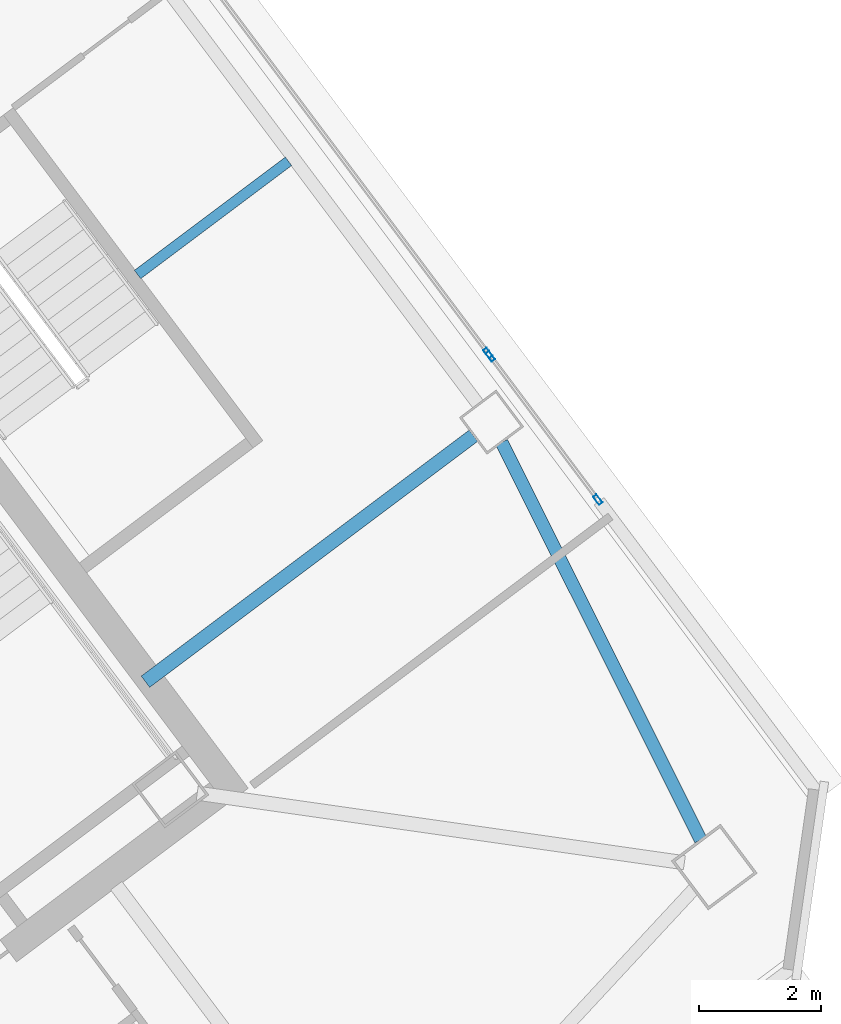
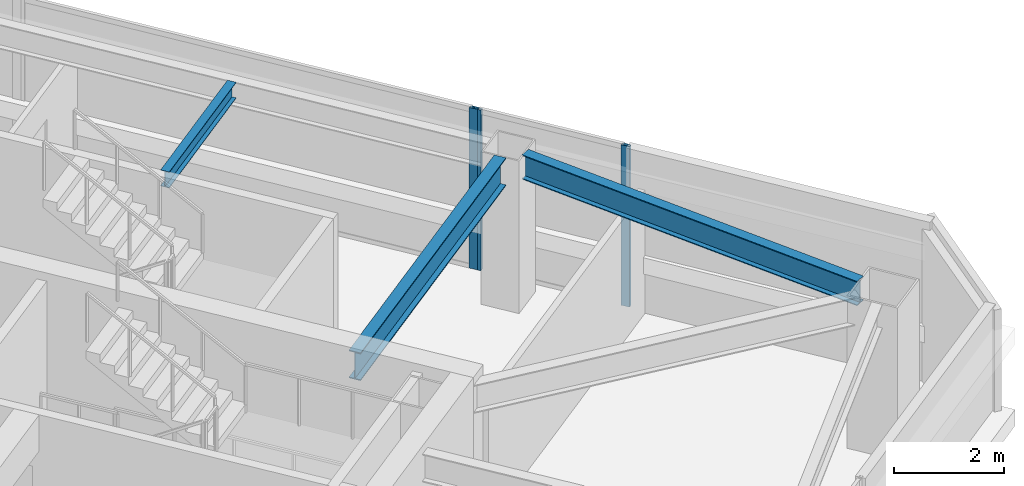
# One storey, part 24 of 40: 3 beams, 3 members, 2 elements without a shape of their own.
"""IFC4 building model written with IfcOpenShell, lengths in metres."""

from ifc_helpers import new_model, si_unit, direction, frame, origin, origin_2d, place, context, subcontext, project, spatial, hollow_rectangle, i_section, extrude, material, material_profile, profile_set, type_object, element, aggregate, save


model = new_model("IFC4")

# Units and contexts
model_context = context("Model", 3, precision=1e-05, world=origin(), true_north=direction((0.0, 1.0)))
body_context = subcontext(model_context, "Body", "Model", "MODEL_VIEW")
ifc_project = project(units=[si_unit("LENGTHUNIT", "METRE"), si_unit("AREAUNIT", "SQUARE_METRE"), si_unit("VOLUMEUNIT", "CUBIC_METRE"), si_unit("PLANEANGLEUNIT", "RADIAN"), si_unit("MASSUNIT", "GRAM", prefix="KILO")], contexts=[model_context])

# Site, building, storey
site_placement = place(None, origin())
site = spatial("IfcSite", under=ifc_project, at=site_placement, CompositionType="ELEMENT")
building_placement = place(site_placement, origin())
building = spatial("IfcBuilding", under=site, at=building_placement, Name="Tashvorn Skyway Center", CompositionType="ELEMENT")
storey_placement = place(building_placement, frame((0.0, 0.0, 221.949951171875)))
storey = spatial("IfcBuildingStorey", under=building, at=storey_placement, Name="L60", CompositionType="ELEMENT", Elevation=221.949951171875)

# Beams
ifc_material_1 = material(Name="Steel ASTM A992 Grade 50", Category="steel")
ifc_material_profile_1 = material_profile(ifc_material_1, i_section(OverallWidth=0.22998046875, OverallDepth=0.616943359375, WebThickness=0.01318359375, FlangeThickness=0.022216796875, at=origin_2d()), Name="W24X94")
ifc_profile_set_1 = profile_set([ifc_material_profile_1], Name="Steel ASTM A992 Grade 50")
beam_type_1 = type_object("IfcBeamType", Name="BM-BEAM-W24X94", PredefinedType="BEAM", material=ifc_profile_set_1)
beam_1_placement = place(storey_placement, frame((128.823974609375, 36.367919921875, 3.0615234375), z_axis=(-0.799991254452, -0.600011660554, 0.0), x_axis=(0.600011660554, -0.799991254452, 0.0)))
element("IfcBeam", 1, at=beam_1_placement, inside=storey, type_object=beam_type_1, Name="Tower 2 L60 Primary Floor Girder FC-E1", PredefinedType="BEAM", context=body_context, shape_type="SweptSolid", body=[
    extrude(i_section(OverallWidth=0.22998046875, OverallDepth=0.616943359375, WebThickness=0.01318359375, FlangeThickness=0.022216796875, at=origin_2d()), origin(), (0.0, 0.0, 1.0), 6.699951171875),
])
ifc_material_profile_2 = material_profile(ifc_material_1, i_section(OverallWidth=0.1708984375, OverallDepth=0.35498046875, WebThickness=0.007080078125, FlangeThickness=0.01171875, at=origin_2d()), Name="W14X34")
ifc_profile_set_2 = profile_set([ifc_material_profile_2], Name="Steel ASTM A992 Grade 50")
beam_type_2 = type_object("IfcBeamType", Name="BM-JOIST-W14X34", PredefinedType="JOIST", material=ifc_profile_set_2)
beam_2_placement = place(storey_placement, frame((123.3359375, 39.001953125, 3.192626953125), z_axis=(0.799990496003, 0.600012671787, 0.0), x_axis=(-0.600012671787, 0.799990496003, 0.0)))
element("IfcBeam", 2, at=beam_2_placement, inside=storey, type_object=beam_type_2, Name="Tower 2 L60 Secondary Composite Joist JE", PredefinedType="JOIST", context=body_context, shape_type="SweptSolid", body=[
    extrude(i_section(OverallWidth=0.1708984375, OverallDepth=0.35498046875, WebThickness=0.007080078125, FlangeThickness=0.01171875, at=origin_2d()), origin(), (0.0, 0.0, 1.0), 3.08251953125),
])
ifc_material_profile_3 = material_profile(ifc_material_1, i_section(OverallWidth=0.2109375, OverallDepth=0.5390625, WebThickness=0.01171875, FlangeThickness=0.018798828125, at=origin_2d()), Name="W21X73")
ifc_profile_set_3 = profile_set([ifc_material_profile_3], Name="Steel ASTM A992 Grade 50")
beam_type_3 = type_object("IfcBeamType", Name="BM-SPANDREL-W21X73", PredefinedType="SPANDREL", material=ifc_profile_set_3)
beam_3_placement = place(storey_placement, frame((132.538330078125, 29.7626953125, 3.1005859375), z_axis=(-0.447710870872, 0.894178380472, 0.0), x_axis=(-0.894178380472, -0.447710870872, 0.0)))
element("IfcBeam", 3, at=beam_3_placement, inside=storey, type_object=beam_type_3, Name="Tower 2 L60 Spandrel Beam 04", PredefinedType="SPANDREL", context=body_context, shape_type="SweptSolid", body=[
    extrude(i_section(OverallWidth=0.2109375, OverallDepth=0.5390625, WebThickness=0.01171875, FlangeThickness=0.018798828125, at=origin_2d()), origin(), (0.0, 0.0, 1.0), 7.26513671875),
])

# Curtain wall, member
ifc_material_2 = material(Name="Thermally broken bronze-anodized aluminium 6063-T6", Category="aluminium")
curtain_wall_type = type_object("IfcCurtainWallType", Name="CW-CW-Z5", PredefinedType="NOTDEFINED", material=ifc_material_2)
curtain_wall_1_placement = place(storey_placement, origin())
curtain_wall_1 = element("IfcCurtainWall", 4, at=curtain_wall_1_placement, inside=storey, type_object=curtain_wall_type, Name="Tower 2 L60 East Unitised Curtain Wall Glazing Group 2", PredefinedType="NOTDEFINED")
ifc_material_profile_4 = material_profile(ifc_material_2, hollow_rectangle(XDim=0.070068359375, YDim=0.1650390625, WallThickness=0.00390625, at=origin_2d()), Name="ALU-MULL-70x165")
ifc_profile_set_4 = profile_set([ifc_material_profile_4], Name="Thermally broken bronze-anodized aluminium 6063-T6")
member_type = type_object("IfcMemberType", Name="CWM-CW-Z5", PredefinedType="MULLION", material=ifc_profile_set_4)
member_1_placement = place(storey_placement, frame((129.05908203125, 37.72119140625, 0.0), z_axis=(0.0, 0.0, 1.0), x_axis=(0.800002670596, 0.599996439189, 0.0)))
member_1 = element("IfcMember", 5, at=member_1_placement, type_object=member_type, Name="CW-Z5 mullion 2", PredefinedType="MULLION", context=body_context, shape_type="SweptSolid", body=[
    extrude(hollow_rectangle(XDim=0.070068359375, YDim=0.1650390625, WallThickness=0.00390625, at=origin_2d()), origin(), (0.0, 0.0, 1.0), 3.550048828125),
])
aggregate(curtain_wall_1, [member_1])

# Curtain wall, members
curtain_wall_2_placement = place(storey_placement, origin())
curtain_wall_2 = element("IfcCurtainWall", 6, at=curtain_wall_2_placement, inside=storey, type_object=curtain_wall_type, Name="Tower 2 L60 East Unitised Curtain Wall Glazing Group 3", PredefinedType="NOTDEFINED")
member_2_placement = place(storey_placement, frame((129.10107421875, 37.665283203125, 0.0), z_axis=(0.0, 0.0, 1.0), x_axis=(0.799999999998, 0.600000000002, 0.0)))
member_2 = element("IfcMember", 7, at=member_2_placement, type_object=member_type, Name="CW-Z5 mullion 1", PredefinedType="MULLION", context=body_context, shape_type="SweptSolid", body=[
    extrude(hollow_rectangle(XDim=0.070068359375, YDim=0.1650390625, WallThickness=0.00390625, at=origin_2d()), origin(), (0.0, 0.0, 1.0), 3.550048828125),
])
member_3_placement = place(storey_placement, frame((130.856201171875, 35.324951171875, 0.0), z_axis=(0.0, 0.0, 1.0), x_axis=(0.799999999998, 0.600000000002, 0.0)))
member_3 = element("IfcMember", 8, at=member_3_placement, type_object=member_type, Name="CW-Z5 mullion 2", PredefinedType="MULLION", context=body_context, shape_type="SweptSolid", body=[
    extrude(hollow_rectangle(XDim=0.070068359375, YDim=0.1650390625, WallThickness=0.00390625, at=origin_2d()), origin(), (0.0, 0.0, 1.0), 3.550048828125),
])
aggregate(curtain_wall_2, [member_2, member_3])

save(model, "model.ifc")
